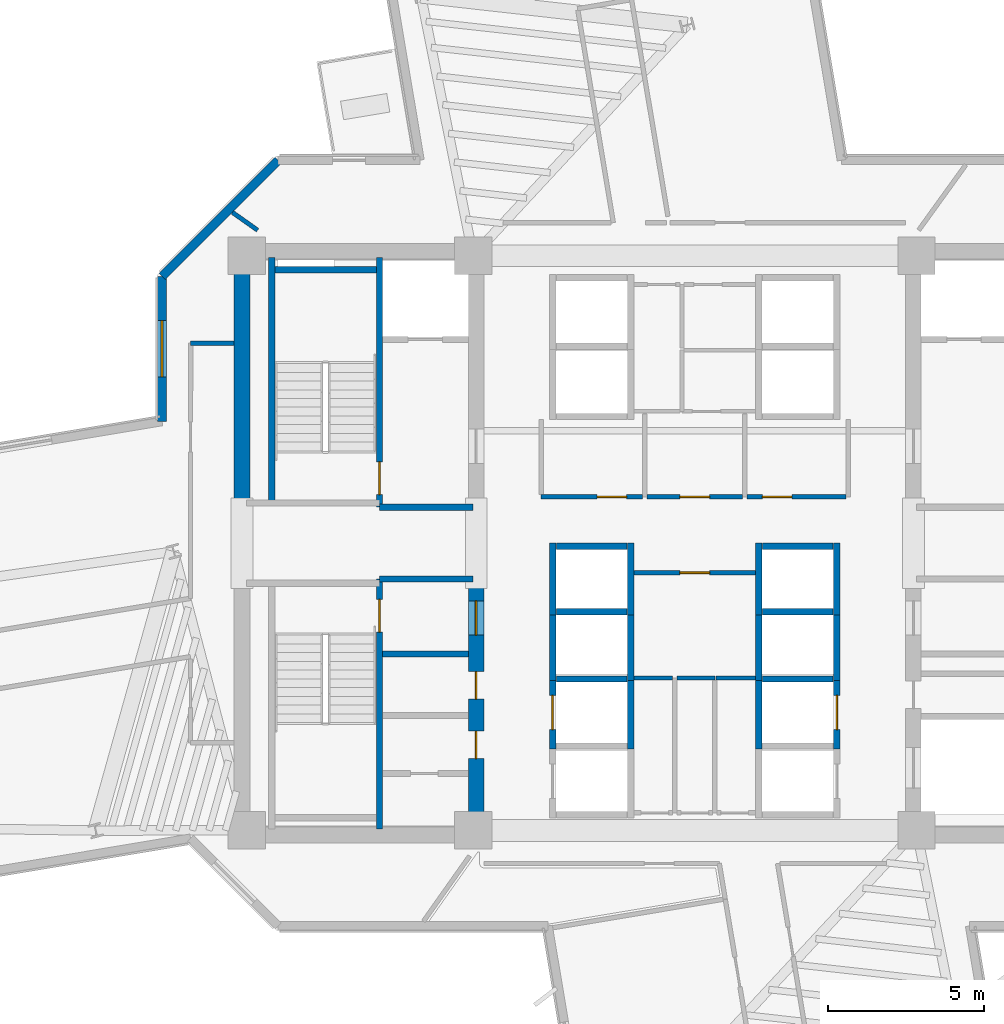
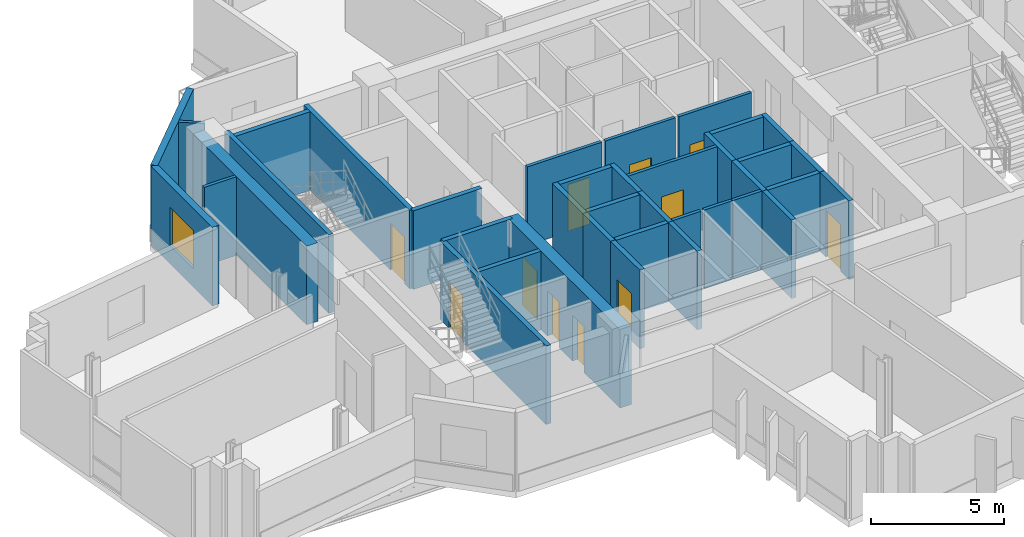
# One storey, part 8 of 15: 38 walls, 11 doors, 1 window, 12 openings.
"""IFC4 building model written with IfcOpenShell, lengths in metres."""

from ifc_helpers import new_model, si_unit, direction, frame, frame_2d, origin, place, context, subcontext, project, spatial, rectangle, extrude, source, transform, mapped, material, layer, layer_set, type_object, element, fill, save


model = new_model("IFC4")

# Units and contexts
model_context = context("Model", 3, precision=1e-05, world=origin(), true_north=direction((0.0, 1.0)))
body_context = subcontext(model_context, "Body", "Model", "MODEL_VIEW")
ifc_project = project(units=[si_unit("LENGTHUNIT", "METRE"), si_unit("AREAUNIT", "SQUARE_METRE"), si_unit("VOLUMEUNIT", "CUBIC_METRE"), si_unit("PLANEANGLEUNIT", "RADIAN"), si_unit("MASSUNIT", "GRAM", prefix="KILO")], contexts=[model_context])

# Site, building, storey
site_placement = place(None, origin())
site = spatial("IfcSite", under=ifc_project, at=site_placement, CompositionType="ELEMENT")
building_placement = place(site_placement, origin())
building = spatial("IfcBuilding", under=site, at=building_placement, Name="Zahravan Cultural Tower", CompositionType="ELEMENT")
storey_placement = place(building_placement, frame((0.0, 0.0, 135.60009765625)))
storey = spatial("IfcBuildingStorey", under=building, at=storey_placement, Name="L30", CompositionType="ELEMENT", Elevation=135.60009765625)

# Wall, openings, doors
ifc_material_1 = material(Name="Concrete C60/75", Category="concrete")
ifc_layer_1 = layer(ifc_material_1, 0.5)
ifc_layer_set_1 = layer_set([ifc_layer_1], Name="Concrete C60/75")
wall_type_1 = type_object("IfcWallType", Name="CW-SHEAR-500-C60", PredefinedType="SHEAR", material=ifc_layer_set_1)
wall_1_placement = place(storey_placement, frame((29.0, 17.39990234375, 0.0), z_axis=(0.0, 0.0, 1.0), x_axis=(0.0, 1.0, 0.0)))
wall_1 = element("IfcWall", 1, at=wall_1_placement, inside=storey, type_object=wall_type_1, Name="L30 Core Shear Wall CW-W-ES-L30", PredefinedType="SHEAR", context=body_context, shape_type="SweptSolid", body=[
    extrude(rectangle(XDim=8.550048828125, YDim=0.5, at=frame_2d((4.27490234375, 0.0))), origin(), (0.0, 0.0, 1.0), 3.619873046875),
])
opening_1_placement = place(wall_1_placement, frame((6.64990234375, 0.0, 0.0)))
opening_1 = element("IfcOpeningElement", 2, at=opening_1_placement, cuts=wall_1, Name="Opening D-L30-07", PredefinedType="OPENING", context=body_context, shape_type="SweptSolid", body=[
    extrude(rectangle(XDim=1.10009765625, YDim=2.199951171875, at=frame_2d((0.550048828125, 1.10009765625))), frame((0.0, 0.260009765625, 0.0), z_axis=(0.0, -1.0, 0.0), x_axis=(1.0, 0.0, 0.0)), (0.0, 0.0, 1.0), 0.52001953125),
])
opening_2_placement = place(wall_1_placement, frame((2.699951171875, 0.0, 0.0)))
opening_2 = element("IfcOpeningElement", 3, at=opening_2_placement, cuts=wall_1, Name="Opening D-L30-10", PredefinedType="OPENING", context=body_context, shape_type="SweptSolid", body=[
    extrude(rectangle(XDim=0.8798828125, YDim=2.10009765625, at=frame_2d((0.43994140625, 1.050048828125))), frame((0.0, 0.260009765625, 0.0), z_axis=(0.0, -1.0, 0.0), x_axis=(1.0, 0.0, 0.0)), (0.0, 0.0, 1.0), 0.52001953125),
])
opening_3_placement = place(wall_1_placement, frame((4.60009765625, 0.0, 0.0)))
opening_3 = element("IfcOpeningElement", 4, at=opening_3_placement, cuts=wall_1, Name="Opening D-L30-11", PredefinedType="OPENING", context=body_context, shape_type="SweptSolid", body=[
    extrude(rectangle(XDim=0.8798828125, YDim=2.10009765625, at=frame_2d((0.43994140625, 1.050048828125))), frame((0.0, 0.260009765625, 0.0), z_axis=(0.0, -1.0, 0.0), x_axis=(1.0, 0.0, 0.0)), (0.0, 0.0, 1.0), 0.52001953125),
])
ifc_material_2 = material(Name="Steel ASTM A572 Grade 50", Category="steel")
door_type_1 = type_object("IfcDoorType", Name="DR-LOBBY-1100", OperationType="NOTDEFINED", PredefinedType="DOOR", material=ifc_material_2)
shared_shape_1 = source(origin(), body_context, "Body", "SweptSolid", [
    extrude(rectangle(XDim=1.10009765625, YDim=2.199951171875, at=frame_2d((0.550048828125, 1.10009765625))), frame((0.0, 0.02490234375, 0.0), z_axis=(0.0, -1.0, 0.0), x_axis=(1.0, 0.0, 0.0)), (0.0, 0.0, 1.0), 0.050048828125),
])
door_1_placement = place(opening_1_placement, origin())
door_1 = element("IfcDoor", 5, at=door_1_placement, inside=storey, type_object=door_type_1, Name="L30 Door D-L30-07", OperationType="SINGLE_SWING_RIGHT", OverallHeight=2.199951171875, OverallWidth=1.10009765625, PredefinedType="DOOR", context=body_context, shape_type="MappedRepresentation", body=[
    mapped(shared_shape_1, transform((0.0, 0.0, 0.0), x_axis=(1.0, 0.0, 0.0), y_axis=(0.0, 1.0, 0.0), z_axis=(0.0, 0.0, 1.0), scale=1.0)),
])
fill(opening_1, door_1)
door_type_2 = type_object("IfcDoorType", Name="DR-SVC-880", OperationType="NOTDEFINED", PredefinedType="DOOR", material=ifc_material_2)
shared_shape_2 = source(origin(), body_context, "Body", "SweptSolid", [
    extrude(rectangle(XDim=0.8798828125, YDim=2.10009765625, at=frame_2d((0.43994140625, 1.050048828125))), frame((0.0, 0.02490234375, 0.0), z_axis=(0.0, -1.0, 0.0), x_axis=(1.0, 0.0, 0.0)), (0.0, 0.0, 1.0), 0.050048828125),
])
door_2_placement = place(opening_2_placement, origin())
door_2 = element("IfcDoor", 6, at=door_2_placement, inside=storey, type_object=door_type_2, Name="L30 Door D-L30-10", OperationType="SINGLE_SWING_LEFT", OverallHeight=2.10009765625, OverallWidth=0.8798828125, PredefinedType="DOOR", context=body_context, shape_type="MappedRepresentation", body=[
    mapped(shared_shape_2, transform((0.0, 0.0, 0.0), x_axis=(1.0, 0.0, 0.0), y_axis=(0.0, 1.0, 0.0), z_axis=(0.0, 0.0, 1.0), scale=1.0)),
])
fill(opening_2, door_2)
door_3_placement = place(opening_3_placement, origin())
door_3 = element("IfcDoor", 7, at=door_3_placement, inside=storey, type_object=door_type_2, Name="L30 Door D-L30-11", OperationType="SINGLE_SWING_RIGHT", OverallHeight=2.10009765625, OverallWidth=0.8798828125, PredefinedType="DOOR", context=body_context, shape_type="MappedRepresentation", body=[
    mapped(shared_shape_2, transform((0.0, 0.0, 0.0), x_axis=(1.0, 0.0, 0.0), y_axis=(0.0, 1.0, 0.0), z_axis=(0.0, 0.0, 1.0), scale=1.0)),
])
fill(opening_3, door_3)

# Wall, opening, window
ifc_material_3 = material(Name="Precast concrete C40/50", Category="concrete")
ifc_layer_2 = layer(ifc_material_3, 0.280029296875)
ifc_layer_set_2 = layer_set([ifc_layer_2], Name="Precast concrete C40/50")
wall_type_2 = type_object("IfcWallType", Name="EW-TC-280", PredefinedType="SOLIDWALL", material=ifc_layer_set_2)
wall_2_placement = place(storey_placement, frame((18.93994140625, 30.897705078125, 0.0), z_axis=(0.0, 0.0, 1.0), x_axis=(0.0, 1.0, 0.0)))
wall_2 = element("IfcWall", 8, at=wall_2_placement, inside=storey, type_object=wall_type_2, Name="L30 Exterior Masonry Frame Wall 37", PredefinedType="SOLIDWALL", context=body_context, shape_type="SweptSolid", body=[
    extrude(rectangle(XDim=4.644287109375, YDim=0.280029296875, at=frame_2d((2.322265625, 0.0))), origin(), (0.0, 0.0, 1.0), 3.619873046875),
])
opening_4_placement = place(wall_2_placement, frame((1.422119140625, 0.0, 0.85009765625)))
opening_4 = element("IfcOpeningElement", 9, at=opening_4_placement, cuts=wall_2, Name="Opening WN-02", PredefinedType="OPENING", context=body_context, shape_type="SweptSolid", body=[
    extrude(rectangle(XDim=1.800048828125, YDim=1.75, at=frame_2d((0.89990234375, 0.875))), frame((0.0, 0.14990234375, 0.0), z_axis=(0.0, -1.0, 0.0), x_axis=(1.0, 0.0, 0.0)), (0.0, 0.0, 1.0), 0.300048828125),
])
ifc_material_4 = material(Name="Low-E solar-control double glazing", Category="glass")
window_type = type_object("IfcWindowType", Name="WN-REC-1800X1750", PartitioningType="DOUBLE_PANEL_VERTICAL", PredefinedType="WINDOW", material=ifc_material_4)
shared_shape_3 = source(origin(), body_context, "Body", "SweptSolid", [
    extrude(rectangle(XDim=1.800048828125, YDim=1.75, at=frame_2d((0.89990234375, 0.875))), frame((0.0, 0.030029296875, 0.0), z_axis=(0.0, -1.0, 0.0), x_axis=(1.0, 0.0, 0.0)), (0.0, 0.0, 1.0), 0.06005859375),
])
window_placement = place(opening_4_placement, origin())
window = element("IfcWindow", 10, at=window_placement, inside=storey, type_object=window_type, Name="L30 Recessed Solar Window 08", OverallHeight=1.75, OverallWidth=1.800048828125, PartitioningType="DOUBLE_PANEL_VERTICAL", PredefinedType="WINDOW", context=body_context, shape_type="MappedRepresentation", body=[
    mapped(shared_shape_3, transform((0.0, 0.0, 0.0), x_axis=(1.0, 0.0, 0.0), y_axis=(0.0, 1.0, 0.0), z_axis=(0.0, 0.0, 1.0), scale=1.0)),
])
fill(opening_4, window)

# Wall, opening, door
ifc_material_5 = material(Name="Gypsum plasterboard partition")
ifc_layer_3 = layer(ifc_material_5, 0.139892578125)
ifc_layer_set_3 = layer_set([ifc_layer_3], Name="Gypsum plasterboard partition")
wall_type_3 = type_object("IfcWallType", Name="W-PART-140", PredefinedType="PARTITIONING", material=ifc_layer_set_3)
wall_3_placement = place(storey_placement, frame((37.52490234375, 28.47998046875, 0.0), z_axis=(0.0, 0.0, 1.0), x_axis=(-1.0, 0.0, 0.0)))
wall_3 = element("IfcWall", 11, at=wall_3_placement, inside=storey, type_object=wall_type_3, Name="L30 Interior Wall 086", PredefinedType="PARTITIONING", context=body_context, shape_type="SweptSolid", body=[
    extrude(rectangle(XDim=3.0498046875, YDim=0.139892578125, at=frame_2d((1.52490234375, 0.0))), origin(), (0.0, 0.0, 1.0), 3.619873046875),
])
opening_5_placement = place(wall_3_placement, frame((1.050048828125, 0.0, 0.0)))
opening_5 = element("IfcOpeningElement", 12, at=opening_5_placement, cuts=wall_3, Name="Opening D-L30-16", PredefinedType="OPENING", context=body_context, shape_type="SweptSolid", body=[
    extrude(rectangle(XDim=0.949951171875, YDim=2.14990234375, at=frame_2d((0.47509765625, 1.074951171875))), frame((0.0, 0.079833984375, 0.0), z_axis=(0.0, -1.0, 0.0), x_axis=(1.0, 0.0, 0.0)), (0.0, 0.0, 1.0), 0.159912109375),
])
ifc_material_6 = material(Name="Anodised bronze-aluminium mullion", Category="aluminium")
door_type_3 = type_object("IfcDoorType", Name="DR-ROOM-950", OperationType="NOTDEFINED", PredefinedType="DOOR", material=ifc_material_6)
shared_shape_4 = source(origin(), body_context, "Body", "SweptSolid", [
    extrude(rectangle(XDim=0.949951171875, YDim=2.14990234375, at=frame_2d((0.47509765625, 1.074951171875))), frame((0.0, 0.02490234375, 0.0), z_axis=(0.0, -1.0, 0.0), x_axis=(1.0, 0.0, 0.0)), (0.0, 0.0, 1.0), 0.050048828125),
])
door_4_placement = place(opening_5_placement, origin())
door_4 = element("IfcDoor", 13, at=door_4_placement, inside=storey, type_object=door_type_3, Name="L30 Door D-L30-16", OperationType="SINGLE_SWING_LEFT", OverallHeight=2.14990234375, OverallWidth=0.949951171875, PredefinedType="DOOR", context=body_context, shape_type="MappedRepresentation", body=[
    mapped(shared_shape_4, transform((0.0, 0.0, 0.0), x_axis=(1.0, 0.0, 0.0), y_axis=(0.0, 1.0, 0.0), z_axis=(0.0, 0.0, 1.0), scale=1.0)),
])
fill(opening_5, door_4)

wall_4_placement = place(storey_placement, frame((34.324951171875, 28.47998046875, 0.0), z_axis=(0.0, 0.0, 1.0), x_axis=(-1.0, 0.0, 0.0)))
wall_4 = element("IfcWall", 14, at=wall_4_placement, inside=storey, type_object=wall_type_3, Name="L30 Interior Wall 087", PredefinedType="PARTITIONING", context=body_context, shape_type="SweptSolid", body=[
    extrude(rectangle(XDim=3.244873046875, YDim=0.139892578125, at=frame_2d((1.62255859375, 0.0))), origin(), (0.0, 0.0, 1.0), 3.619873046875),
])
opening_6_placement = place(wall_4_placement, frame((0.5048828125, 0.0, 0.0)))
opening_6 = element("IfcOpeningElement", 15, at=opening_6_placement, cuts=wall_4, Name="Opening D-L30-15", PredefinedType="OPENING", context=body_context, shape_type="SweptSolid", body=[
    extrude(rectangle(XDim=0.949951171875, YDim=2.14990234375, at=frame_2d((0.47509765625, 1.074951171875))), frame((0.0, 0.079833984375, 0.0), z_axis=(0.0, -1.0, 0.0), x_axis=(1.0, 0.0, 0.0)), (0.0, 0.0, 1.0), 0.159912109375),
])
door_5_placement = place(opening_6_placement, origin())
door_5 = element("IfcDoor", 16, at=door_5_placement, inside=storey, type_object=door_type_3, Name="L30 Door D-L30-15", OperationType="SINGLE_SWING_RIGHT", OverallHeight=2.14990234375, OverallWidth=0.949951171875, PredefinedType="DOOR", context=body_context, shape_type="MappedRepresentation", body=[
    mapped(shared_shape_4, transform((0.0, 0.0, 0.0), x_axis=(1.0, 0.0, 0.0), y_axis=(0.0, 1.0, 0.0), z_axis=(0.0, 0.0, 1.0), scale=1.0)),
])
fill(opening_6, door_5)

wall_5_placement = place(storey_placement, frame((40.844970703125, 28.47998046875, 0.0), z_axis=(0.0, 0.0, 1.0), x_axis=(-1.0, 0.0, 0.0)))
wall_5 = element("IfcWall", 17, at=wall_5_placement, inside=storey, type_object=wall_type_3, Name="L30 Interior Wall 090", PredefinedType="PARTITIONING", context=body_context, shape_type="SweptSolid", body=[
    extrude(rectangle(XDim=3.169921875, YDim=0.139892578125, at=frame_2d((1.5849609375, 0.0))), origin(), (0.0, 0.0, 1.0), 3.619873046875),
])
opening_7_placement = place(wall_5_placement, frame((1.731689453125, 0.0, 0.0)))
opening_7 = element("IfcOpeningElement", 18, at=opening_7_placement, cuts=wall_5, Name="Opening D-L30-17", PredefinedType="OPENING", context=body_context, shape_type="SweptSolid", body=[
    extrude(rectangle(XDim=0.949951171875, YDim=2.14990234375, at=frame_2d((0.47509765625, 1.074951171875))), frame((0.0, 0.079833984375, 0.0), z_axis=(0.0, -1.0, 0.0), x_axis=(1.0, 0.0, 0.0)), (0.0, 0.0, 1.0), 0.159912109375),
])
door_6_placement = place(opening_7_placement, origin())
door_6 = element("IfcDoor", 19, at=door_6_placement, inside=storey, type_object=door_type_3, Name="L30 Door D-L30-17", OperationType="SINGLE_SWING_RIGHT", OverallHeight=2.14990234375, OverallWidth=0.949951171875, PredefinedType="DOOR", context=body_context, shape_type="MappedRepresentation", body=[
    mapped(shared_shape_4, transform((0.0, 0.0, 0.0), x_axis=(1.0, 0.0, 0.0), y_axis=(0.0, 1.0, 0.0), z_axis=(0.0, 0.0, 1.0), scale=1.0)),
])
fill(opening_7, door_6)

wall_6_placement = place(storey_placement, frame((34.054931640625, 26.050048828125, 0.0), z_axis=(0.0, 0.0, 1.0), x_axis=(1.0, 0.0, 0.0)))
wall_6 = element("IfcWall", 20, at=wall_6_placement, inside=storey, type_object=wall_type_3, Name="L30 Interior Wall 091", PredefinedType="PARTITIONING", context=body_context, shape_type="SweptSolid", body=[
    extrude(rectangle(XDim=3.89013671875, YDim=0.139892578125, at=frame_2d((1.945068359375, 0.0))), origin(), (0.0, 0.0, 1.0), 3.619873046875),
])
opening_8_placement = place(wall_6_placement, frame((1.469970703125, 0.0, 0.0)))
opening_8 = element("IfcOpeningElement", 21, at=opening_8_placement, cuts=wall_6, Name="Opening D-L30-21", PredefinedType="OPENING", context=body_context, shape_type="SweptSolid", body=[
    extrude(rectangle(XDim=0.949951171875, YDim=2.14990234375, at=frame_2d((0.47509765625, 1.074951171875))), frame((0.0, 0.079833984375, 0.0), z_axis=(0.0, -1.0, 0.0), x_axis=(1.0, 0.0, 0.0)), (0.0, 0.0, 1.0), 0.159912109375),
])
door_7_placement = place(opening_8_placement, origin())
door_7 = element("IfcDoor", 22, at=door_7_placement, inside=storey, type_object=door_type_3, Name="L30 Door D-L30-21", OperationType="SINGLE_SWING_RIGHT", OverallHeight=2.14990234375, OverallWidth=0.949951171875, PredefinedType="DOOR", context=body_context, shape_type="MappedRepresentation", body=[
    mapped(shared_shape_4, transform((0.0, 0.0, 0.0), x_axis=(1.0, 0.0, 0.0), y_axis=(0.0, 1.0, 0.0), z_axis=(0.0, 0.0, 1.0), scale=1.0)),
])
fill(opening_8, door_7)

ifc_material_7 = material(Name="Concrete C45/55", Category="concrete")
ifc_layer_4 = layer(ifc_material_7, 0.199951171875)
ifc_layer_set_4 = layer_set([ifc_layer_4], Name="Concrete C45/55")
wall_type_4 = type_object("IfcWallType", Name="W-SHAFT-200", PredefinedType="SOLIDWALL", material=ifc_layer_set_4)
wall_7_placement = place(storey_placement, frame((25.89990234375, 17.85009765625, 0.0), z_axis=(0.0, 0.0, 1.0), x_axis=(0.0, 1.0, 0.0)))
wall_7 = element("IfcWall", 23, at=wall_7_placement, inside=storey, type_object=wall_type_4, Name="L30 Interior Wall 005", PredefinedType="SOLIDWALL", context=body_context, shape_type="SweptSolid", body=[
    extrude(rectangle(XDim=8.0, YDim=0.199951171875, at=frame_2d((4.0, 0.0))), origin(), (0.0, 0.0, 1.0), 3.619873046875),
])
opening_9_placement = place(wall_7_placement, frame((6.300048828125, 0.0, 0.0)))
opening_9 = element("IfcOpeningElement", 24, at=opening_9_placement, cuts=wall_7, Name="Opening D-L30-04", PredefinedType="OPENING", context=body_context, shape_type="SweptSolid", body=[
    extrude(rectangle(XDim=1.050048828125, YDim=2.14990234375, at=frame_2d((0.52490234375, 1.074951171875))), frame((0.0, 0.10986328125, 0.0), z_axis=(0.0, -1.0, 0.0), x_axis=(1.0, 0.0, 0.0)), (0.0, 0.0, 1.0), 0.219970703125),
])
door_type_4 = type_object("IfcDoorType", Name="DR-STAIR-1050", OperationType="NOTDEFINED", PredefinedType="DOOR", material=ifc_material_2)
shared_shape_5 = source(origin(), body_context, "Body", "SweptSolid", [
    extrude(rectangle(XDim=1.050048828125, YDim=2.14990234375, at=frame_2d((0.52490234375, 1.074951171875))), frame((0.0, 0.02490234375, 0.0), z_axis=(0.0, -1.0, 0.0), x_axis=(1.0, 0.0, 0.0)), (0.0, 0.0, 1.0), 0.050048828125),
])
door_8_placement = place(opening_9_placement, origin())
door_8 = element("IfcDoor", 25, at=door_8_placement, inside=storey, type_object=door_type_4, Name="L30 Door D-L30-04", OperationType="SINGLE_SWING_LEFT", OverallHeight=2.14990234375, OverallWidth=1.050048828125, PredefinedType="DOOR", context=body_context, shape_type="MappedRepresentation", body=[
    mapped(shared_shape_5, transform((0.0, 0.0, 0.0), x_axis=(1.0, 0.0, 0.0), y_axis=(0.0, 1.0, 0.0), z_axis=(0.0, 0.0, 1.0), scale=1.0)),
])
fill(opening_9, door_8)

wall_8_placement = place(storey_placement, frame((25.89990234375, 28.14990234375, 0.0), z_axis=(0.0, 0.0, 1.0), x_axis=(0.0, 1.0, 0.0)))
wall_8 = element("IfcWall", 26, at=wall_8_placement, inside=storey, type_object=wall_type_4, Name="L30 Interior Wall 006", PredefinedType="SOLIDWALL", context=body_context, shape_type="SweptSolid", body=[
    extrude(rectangle(XDim=8.0, YDim=0.199951171875, at=frame_2d((4.0, 0.0))), origin(), (0.0, 0.0, 1.0), 3.619873046875),
])
opening_10_placement = place(wall_8_placement, frame((0.39990234375, 0.0, 0.0)))
opening_10 = element("IfcOpeningElement", 27, at=opening_10_placement, cuts=wall_8, Name="Opening D-L30-01", PredefinedType="OPENING", context=body_context, shape_type="SweptSolid", body=[
    extrude(rectangle(XDim=1.050048828125, YDim=2.14990234375, at=frame_2d((0.52490234375, 1.074951171875))), frame((0.0, 0.10986328125, 0.0), z_axis=(0.0, -1.0, 0.0), x_axis=(1.0, 0.0, 0.0)), (0.0, 0.0, 1.0), 0.219970703125),
])
door_9_placement = place(opening_10_placement, origin())
door_9 = element("IfcDoor", 28, at=door_9_placement, inside=storey, type_object=door_type_4, Name="L30 Door D-L30-01", OperationType="SINGLE_SWING_RIGHT", OverallHeight=2.14990234375, OverallWidth=1.050048828125, PredefinedType="DOOR", context=body_context, shape_type="MappedRepresentation", body=[
    mapped(shared_shape_5, transform((0.0, 0.0, 0.0), x_axis=(1.0, 0.0, 0.0), y_axis=(0.0, 1.0, 0.0), z_axis=(0.0, 0.0, 1.0), scale=1.0)),
])
fill(opening_10, door_9)

wall_9_placement = place(storey_placement, frame((31.449951171875, 20.39990234375, 0.0), z_axis=(0.0, 0.0, 1.0), x_axis=(0.0, 1.0, 0.0)))
wall_9 = element("IfcWall", 29, at=wall_9_placement, inside=storey, type_object=wall_type_4, Name="L30 Interior Wall 043", PredefinedType="SOLIDWALL", context=body_context, shape_type="SweptSolid", body=[
    extrude(rectangle(XDim=2.35009765625, YDim=0.199951171875, at=frame_2d((1.175048828125, 0.0))), origin(), (0.0, 0.0, 1.0), 3.619873046875),
])
opening_11_placement = place(wall_9_placement, frame((0.625, 0.0, 0.0)))
opening_11 = element("IfcOpeningElement", 30, at=opening_11_placement, cuts=wall_9, Name="Opening LD-L30-04", PredefinedType="OPENING", context=body_context, shape_type="SweptSolid", body=[
    extrude(rectangle(XDim=1.10009765625, YDim=2.14990234375, at=frame_2d((0.550048828125, 1.074951171875))), frame((0.0, 0.10986328125, 0.0), z_axis=(0.0, -1.0, 0.0), x_axis=(1.0, 0.0, 0.0)), (0.0, 0.0, 1.0), 0.219970703125),
])
door_type_5 = type_object("IfcDoorType", Name="DR-LIFT-1100", OperationType="DOUBLE_DOOR_SLIDING", PredefinedType="DOOR", material=ifc_material_2)
shared_shape_6 = source(origin(), body_context, "Body", "SweptSolid", [
    extrude(rectangle(XDim=1.10009765625, YDim=2.14990234375, at=frame_2d((0.550048828125, 1.074951171875))), frame((0.0, 0.02490234375, 0.0), z_axis=(0.0, -1.0, 0.0), x_axis=(1.0, 0.0, 0.0)), (0.0, 0.0, 1.0), 0.050048828125),
])
door_10_placement = place(opening_11_placement, origin())
door_10 = element("IfcDoor", 31, at=door_10_placement, inside=storey, type_object=door_type_5, Name="L30 Door LD-L30-04", OperationType="DOUBLE_DOOR_SLIDING", OverallHeight=2.14990234375, OverallWidth=1.10009765625, PredefinedType="DOOR", context=body_context, shape_type="MappedRepresentation", body=[
    mapped(shared_shape_6, transform((0.0, 0.0, 0.0), x_axis=(1.0, 0.0, 0.0), y_axis=(0.0, 1.0, 0.0), z_axis=(0.0, 0.0, 1.0), scale=1.0)),
])
fill(opening_11, door_10)

wall_10_placement = place(storey_placement, frame((40.550048828125, 20.39990234375, 0.0), z_axis=(0.0, 0.0, 1.0), x_axis=(0.0, 1.0, 0.0)))
wall_10 = element("IfcWall", 32, at=wall_10_placement, inside=storey, type_object=wall_type_4, Name="L30 Interior Wall 051", PredefinedType="SOLIDWALL", context=body_context, shape_type="SweptSolid", body=[
    extrude(rectangle(XDim=2.35009765625, YDim=0.199951171875, at=frame_2d((1.175048828125, 0.0))), origin(), (0.0, 0.0, 1.0), 3.619873046875),
])
opening_12_placement = place(wall_10_placement, frame((0.625, 0.0, 0.0)))
opening_12 = element("IfcOpeningElement", 33, at=opening_12_placement, cuts=wall_10, Name="Opening LD-L30-06", PredefinedType="OPENING", context=body_context, shape_type="SweptSolid", body=[
    extrude(rectangle(XDim=1.10009765625, YDim=2.14990234375, at=frame_2d((0.550048828125, 1.074951171875))), frame((0.0, 0.10986328125, 0.0), z_axis=(0.0, -1.0, 0.0), x_axis=(1.0, 0.0, 0.0)), (0.0, 0.0, 1.0), 0.219970703125),
])
door_11_placement = place(opening_12_placement, origin())
door_11 = element("IfcDoor", 34, at=door_11_placement, inside=storey, type_object=door_type_5, Name="L30 Door LD-L30-06", OperationType="DOUBLE_DOOR_SLIDING", OverallHeight=2.14990234375, OverallWidth=1.10009765625, PredefinedType="DOOR", context=body_context, shape_type="MappedRepresentation", body=[
    mapped(shared_shape_6, transform((0.0, 0.0, 0.0), x_axis=(1.0, 0.0, 0.0), y_axis=(0.0, 1.0, 0.0), z_axis=(0.0, 0.0, 1.0), scale=1.0)),
])
fill(opening_12, door_11)

# Walls
shared_shape_7 = source(origin(), body_context, "Body", "SweptSolid", [
    extrude(rectangle(XDim=8.550048828125, YDim=0.5, at=frame_2d((4.27490234375, 0.0))), origin(), (0.0, 0.0, 1.0), 3.619873046875),
])
wall_11_placement = place(storey_placement, frame((21.5, 28.050048828125, 0.0), z_axis=(0.0, 0.0, 1.0), x_axis=(0.0, 1.0, 0.0)))
element("IfcWall", 35, at=wall_11_placement, inside=storey, type_object=wall_type_1, Name="L30 Core Shear Wall CW-W-WN-L30", PredefinedType="SHEAR", context=body_context, shape_type="MappedRepresentation", body=[
    mapped(shared_shape_7, transform((0.0, 0.0, 0.0), x_axis=(1.0, 0.0, 0.0), y_axis=(0.0, 1.0, 0.0), z_axis=(0.0, 0.0, 1.0), scale=1.0)),
])
shared_shape_8 = source(origin(), body_context, "Body", "SweptSolid", [
    extrude(rectangle(XDim=5.258056640625, YDim=0.280029296875, at=frame_2d((2.62890625, 0.0))), origin(), (0.0, 0.0, 1.0), 3.619873046875),
])
wall_12_placement = place(storey_placement, frame((18.93994140625, 35.5419921875, 0.0), z_axis=(0.0, 0.0, 1.0), x_axis=(0.707106781187, 0.707106781187, 0.0)))
element("IfcWall", 36, at=wall_12_placement, inside=storey, type_object=wall_type_2, Name="L30 Exterior Masonry Frame Wall 38", PredefinedType="SOLIDWALL", context=body_context, shape_type="MappedRepresentation", body=[
    mapped(shared_shape_8, transform((0.0, 0.0, 0.0), x_axis=(1.0, 0.0, 0.0), y_axis=(0.0, 1.0, 0.0), z_axis=(0.0, 0.0, 1.0), scale=1.0)),
])
shared_shape_9 = source(origin(), body_context, "Body", "SweptSolid", [
    extrude(rectangle(XDim=7.869873046875, YDim=0.199951171875, at=frame_2d((3.93505859375, 0.0))), origin(), (0.0, 0.0, 1.0), 3.619873046875),
])
wall_13_placement = place(storey_placement, frame((22.449951171875, 28.280029296875, 0.0), z_axis=(0.0, 0.0, 1.0), x_axis=(0.0, 1.0, 0.0)))
element("IfcWall", 37, at=wall_13_placement, inside=storey, type_object=wall_type_4, Name="L30 Interior Wall 002", PredefinedType="SOLIDWALL", context=body_context, shape_type="MappedRepresentation", body=[
    mapped(shared_shape_9, transform((0.0, 0.0, 0.0), x_axis=(1.0, 0.0, 0.0), y_axis=(0.0, 1.0, 0.0), z_axis=(0.0, 0.0, 1.0), scale=1.0)),
])
shared_shape_10 = source(origin(), body_context, "Body", "SweptSolid", [
    extrude(rectangle(XDim=3.0, YDim=0.199951171875, at=frame_2d((1.5, 0.0))), origin(), (0.0, 0.0, 1.0), 3.619873046875),
])
for number, where, z_axis, x_axis, name in (
    (38, (25.89990234375, 25.85009765625, 0.0), (0.0, 0.0, 1.0), (1.0, 0.0, 0.0), "L30 Interior Wall 010"),
    (39, (25.89990234375, 28.14990234375, 0.0), (0.0, 0.0, 1.0), (1.0, 0.0, 0.0), "L30 Interior Wall 012"),
):
    element("IfcWall", number, at=place(storey_placement, frame(where, z_axis=z_axis, x_axis=x_axis)), inside=storey, type_object=wall_type_4, Name=name, PredefinedType="SOLIDWALL", context=body_context, shape_type="MappedRepresentation", body=[
        mapped(shared_shape_10, transform((0.0, 0.0, 0.0), x_axis=(1.0, 0.0, 0.0), y_axis=(0.0, 1.0, 0.0), z_axis=(0.0, 0.0, 1.0), scale=1.0)),
    ])
shared_shape_11 = source(origin(), body_context, "Body", "SweptSolid", [
    extrude(rectangle(XDim=3.25, YDim=0.199951171875, at=frame_2d((1.625, 0.0))), origin(), (0.0, 0.0, 1.0), 3.619873046875),
])
wall_14_placement = place(storey_placement, frame((22.550048828125, 35.75, 0.0), z_axis=(0.0, 0.0, 1.0), x_axis=(1.0, 0.0, 0.0)))
element("IfcWall", 40, at=wall_14_placement, inside=storey, type_object=wall_type_4, Name="L30 Interior Wall 017", PredefinedType="SOLIDWALL", context=body_context, shape_type="MappedRepresentation", body=[
    mapped(shared_shape_11, transform((0.0, 0.0, 0.0), x_axis=(1.0, 0.0, 0.0), y_axis=(0.0, 1.0, 0.0), z_axis=(0.0, 0.0, 1.0), scale=1.0)),
])
shared_shape_12 = source(origin(), body_context, "Body", "SweptSolid", [
    extrude(rectangle(XDim=2.75, YDim=0.199951171875, at=frame_2d((1.375, 0.0))), origin(), (0.0, 0.0, 1.0), 3.619873046875),
])
wall_15_placement = place(storey_placement, frame((26.0, 23.449951171875, 0.0), z_axis=(0.0, 0.0, 1.0), x_axis=(1.0, 0.0, 0.0)))
element("IfcWall", 41, at=wall_15_placement, inside=storey, type_object=wall_type_4, Name="L30 Interior Wall 023", PredefinedType="SOLIDWALL", context=body_context, shape_type="MappedRepresentation", body=[
    mapped(shared_shape_12, transform((0.0, 0.0, 0.0), x_axis=(1.0, 0.0, 0.0), y_axis=(0.0, 1.0, 0.0), z_axis=(0.0, 0.0, 1.0), scale=1.0)),
])
shared_shape_13 = source(origin(), body_context, "Body", "SweptSolid", [
    extrude(rectangle(XDim=2.260009765625, YDim=0.199951171875, at=frame_2d((1.1298828125, 0.0))), origin(), (0.0, 0.0, 1.0), 3.619873046875),
])
for number, where, z_axis, x_axis, name in (
    (42, (31.570068359375, 22.64990234375, 0.0), (0.0, 0.0, 1.0), (1.0, 0.0, 0.0), "L30 Interior Wall 046"),
    (43, (38.169921875, 22.64990234375, 0.0), (0.0, 0.0, 1.0), (1.0, 0.0, 0.0), "L30 Interior Wall 053"),
    (44, (31.570068359375, 24.800048828125, 0.0), (0.0, 0.0, 1.0), (1.0, 0.0, 0.0), "L30 Interior Wall 059"),
    (45, (31.570068359375, 26.89990234375, 0.0), (0.0, 0.0, 1.0), (1.0, 0.0, 0.0), "L30 Interior Wall 060"),
    (46, (38.169921875, 24.800048828125, 0.0), (0.0, 0.0, 1.0), (1.0, 0.0, 0.0), "L30 Interior Wall 065"),
    (47, (38.169921875, 26.89990234375, 0.0), (0.0, 0.0, 1.0), (1.0, 0.0, 0.0), "L30 Interior Wall 066"),
):
    element("IfcWall", number, at=place(storey_placement, frame(where, z_axis=z_axis, x_axis=x_axis)), inside=storey, type_object=wall_type_4, Name=name, PredefinedType="SOLIDWALL", context=body_context, shape_type="MappedRepresentation", body=[
        mapped(shared_shape_13, transform((0.0, 0.0, 0.0), x_axis=(1.0, 0.0, 0.0), y_axis=(0.0, 1.0, 0.0), z_axis=(0.0, 0.0, 1.0), scale=1.0)),
    ])
shared_shape_14 = source(origin(), body_context, "Body", "SweptSolid", [
    extrude(rectangle(XDim=2.35009765625, YDim=0.199951171875, at=frame_2d((1.175048828125, 0.0))), origin(), (0.0, 0.0, 1.0), 3.619873046875),
])
for number, where, z_axis, x_axis, name in (
    (48, (33.949951171875, 20.39990234375, 0.0), (0.0, 0.0, 1.0), (0.0, 1.0, 0.0), "L30 Interior Wall 044"),
    (49, (38.050048828125, 20.39990234375, 0.0), (0.0, 0.0, 1.0), (0.0, 1.0, 0.0), "L30 Interior Wall 050"),
):
    element("IfcWall", number, at=place(storey_placement, frame(where, z_axis=z_axis, x_axis=x_axis)), inside=storey, type_object=wall_type_4, Name=name, PredefinedType="SOLIDWALL", context=body_context, shape_type="MappedRepresentation", body=[
        mapped(shared_shape_14, transform((0.0, 0.0, 0.0), x_axis=(1.0, 0.0, 0.0), y_axis=(0.0, 1.0, 0.0), z_axis=(0.0, 0.0, 1.0), scale=1.0)),
    ])
shared_shape_15 = source(origin(), body_context, "Body", "SweptSolid", [
    extrude(rectangle(XDim=2.300048828125, YDim=0.199951171875, at=frame_2d((1.14990234375, 0.0))), origin(), (0.0, 0.0, 1.0), 3.619873046875),
])
for number, where, z_axis, x_axis, name in (
    (50, (31.449951171875, 24.699951171875, 0.0), (0.0, 0.0, 1.0), (0.0, 1.0, 0.0), "L30 Interior Wall 057"),
    (51, (33.949951171875, 24.699951171875, 0.0), (0.0, 0.0, 1.0), (0.0, 1.0, 0.0), "L30 Interior Wall 058"),
    (52, (38.050048828125, 24.699951171875, 0.0), (0.0, 0.0, 1.0), (0.0, 1.0, 0.0), "L30 Interior Wall 063"),
    (53, (40.550048828125, 24.699951171875, 0.0), (0.0, 0.0, 1.0), (0.0, 1.0, 0.0), "L30 Interior Wall 064"),
):
    element("IfcWall", number, at=place(storey_placement, frame(where, z_axis=z_axis, x_axis=x_axis)), inside=storey, type_object=wall_type_4, Name=name, PredefinedType="SOLIDWALL", context=body_context, shape_type="MappedRepresentation", body=[
        mapped(shared_shape_15, transform((0.0, 0.0, 0.0), x_axis=(1.0, 0.0, 0.0), y_axis=(0.0, 1.0, 0.0), z_axis=(0.0, 0.0, 1.0), scale=1.0)),
    ])
shared_shape_16 = source(origin(), body_context, "Body", "SweptSolid", [
    extrude(rectangle(XDim=2.2998046875, YDim=0.199951171875, at=frame_2d((1.14990234375, 0.0))), origin(), (0.0, 0.0, 1.0), 3.619873046875),
])
for number, where, z_axis, x_axis, name in (
    (54, (31.449951171875, 22.60009765625, 0.0), (0.0, 0.0, 1.0), (0.0, 1.0, 0.0), "L30 Interior Wall 061"),
    (55, (33.949951171875, 22.60009765625, 0.0), (0.0, 0.0, 1.0), (0.0, 1.0, 0.0), "L30 Interior Wall 062"),
    (56, (38.050048828125, 22.60009765625, 0.0), (0.0, 0.0, 1.0), (0.0, 1.0, 0.0), "L30 Interior Wall 067"),
    (57, (40.550048828125, 22.60009765625, 0.0), (0.0, 0.0, 1.0), (0.0, 1.0, 0.0), "L30 Interior Wall 068"),
):
    element("IfcWall", number, at=place(storey_placement, frame(where, z_axis=z_axis, x_axis=x_axis)), inside=storey, type_object=wall_type_4, Name=name, PredefinedType="SOLIDWALL", context=body_context, shape_type="MappedRepresentation", body=[
        mapped(shared_shape_16, transform((0.0, 0.0, 0.0), x_axis=(1.0, 0.0, 0.0), y_axis=(0.0, 1.0, 0.0), z_axis=(0.0, 0.0, 1.0), scale=1.0)),
    ])
shared_shape_17 = source(origin(), body_context, "Body", "SweptSolid", [
    extrude(rectangle(XDim=1.204833984375, YDim=0.139892578125, at=frame_2d((0.6025390625, 0.0))), origin(), (0.0, 0.0, 1.0), 3.619873046875),
])
wall_16_placement = place(storey_placement, frame((35.43505859375, 22.679931640625, 0.0), z_axis=(0.0, 0.0, 1.0), x_axis=(1.0, 0.0, 0.0)))
element("IfcWall", 58, at=wall_16_placement, inside=storey, type_object=wall_type_3, Name="L30 Interior Wall 075", PredefinedType="PARTITIONING", context=body_context, shape_type="MappedRepresentation", body=[
    mapped(shared_shape_17, transform((0.0, 0.0, 0.0), x_axis=(1.0, 0.0, 0.0), y_axis=(0.0, 1.0, 0.0), z_axis=(0.0, 0.0, 1.0), scale=1.0)),
])
shared_shape_18 = source(origin(), body_context, "Body", "SweptSolid", [
    extrude(rectangle(XDim=1.22998046875, YDim=0.139892578125, at=frame_2d((0.614990234375, 0.0))), origin(), (0.0, 0.0, 1.0), 3.619873046875),
])
wall_17_placement = place(storey_placement, frame((34.054931640625, 22.679931640625, 0.0), z_axis=(0.0, 0.0, 1.0), x_axis=(1.0, 0.0, 0.0)))
element("IfcWall", 59, at=wall_17_placement, inside=storey, type_object=wall_type_3, Name="L30 Interior Wall 078", PredefinedType="PARTITIONING", context=body_context, shape_type="MappedRepresentation", body=[
    mapped(shared_shape_18, transform((0.0, 0.0, 0.0), x_axis=(1.0, 0.0, 0.0), y_axis=(0.0, 1.0, 0.0), z_axis=(0.0, 0.0, 1.0), scale=1.0)),
])
shared_shape_19 = source(origin(), body_context, "Body", "SweptSolid", [
    extrude(rectangle(XDim=1.26513671875, YDim=0.139892578125, at=frame_2d((0.632568359375, 0.0))), origin(), (0.0, 0.0, 1.0), 3.619873046875),
])
wall_18_placement = place(storey_placement, frame((36.679931640625, 22.679931640625, 0.0), z_axis=(0.0, 0.0, 1.0), x_axis=(1.0, 0.0, 0.0)))
element("IfcWall", 60, at=wall_18_placement, inside=storey, type_object=wall_type_3, Name="L30 Interior Wall 080", PredefinedType="PARTITIONING", context=body_context, shape_type="MappedRepresentation", body=[
    mapped(shared_shape_19, transform((0.0, 0.0, 0.0), x_axis=(1.0, 0.0, 0.0), y_axis=(0.0, 1.0, 0.0), z_axis=(0.0, 0.0, 1.0), scale=1.0)),
])
shared_shape_20 = source(origin(), body_context, "Body", "SweptSolid", [
    extrude(rectangle(XDim=0.98779296875, YDim=0.139892578125, at=frame_2d((0.493896484375, 0.0))), origin(), (0.0, 0.0, 1.0), 3.619873046875),
])
wall_19_placement = place(storey_placement, frame((21.193359375, 37.59033203125, 0.0), z_axis=(0.0, 0.0, 1.0), x_axis=(0.81652929337, -0.577304004029, 0.0)))
element("IfcWall", 61, at=wall_19_placement, inside=storey, type_object=wall_type_3, Name="L30 Interior Wall 100", PredefinedType="PARTITIONING", context=body_context, shape_type="MappedRepresentation", body=[
    mapped(shared_shape_20, transform((0.0, 0.0, 0.0), x_axis=(1.0, 0.0, 0.0), y_axis=(0.0, 1.0, 0.0), z_axis=(0.0, 0.0, 1.0), scale=1.0)),
])
shared_shape_21 = source(origin(), body_context, "Body", "SweptSolid", [
    extrude(rectangle(XDim=1.391357421875, YDim=0.139892578125, at=frame_2d((0.69580078125, 0.0))), origin(), (0.0, 0.0, 1.0), 3.619873046875),
])
wall_20_placement = place(storey_placement, frame((21.2451171875, 33.39990234375, 0.0), z_axis=(0.0, 0.0, 1.0), x_axis=(-0.999999938421, -0.00035093874, 0.0)))
element("IfcWall", 62, at=wall_20_placement, inside=storey, type_object=wall_type_3, Name="L30 Interior Wall 101", PredefinedType="PARTITIONING", context=body_context, shape_type="MappedRepresentation", body=[
    mapped(shared_shape_21, transform((0.0, 0.0, 0.0), x_axis=(1.0, 0.0, 0.0), y_axis=(0.0, 1.0, 0.0), z_axis=(0.0, 0.0, 1.0), scale=1.0)),
])

save(model, "model.ifc")
